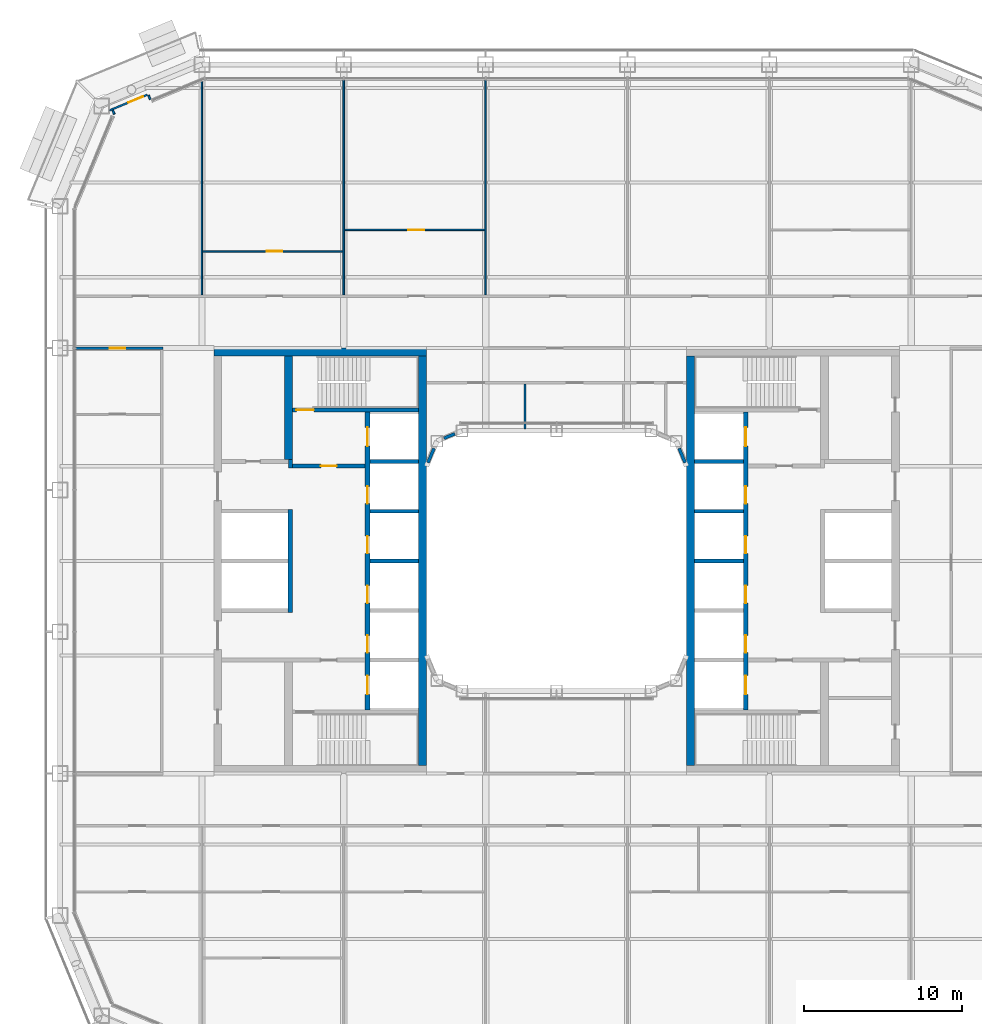
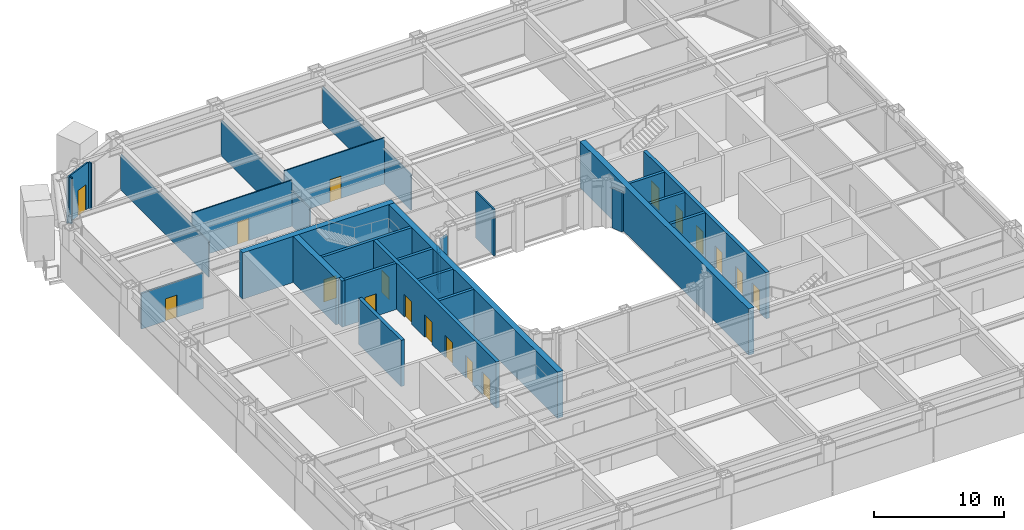
# One storey, part 14 of 28: 29 walls, 18 doors, 18 openings.
"""IFC4 building model written with IfcOpenShell, lengths in metres."""

from ifc_helpers import new_model, si_unit, direction, frame, frame_2d, origin, place, context, subcontext, project, spatial, rectangle, extrude, material, layer, layer_set, type_object, element, fill, save


model = new_model("IFC4")

# Units and contexts
model_context = context("Model", 3, precision=1e-05, world=origin(), true_north=direction((0.0, 1.0)))
body_context = subcontext(model_context, "Body", "Model", "MODEL_VIEW")
ifc_project = project(units=[si_unit("LENGTHUNIT", "METRE"), si_unit("AREAUNIT", "SQUARE_METRE"), si_unit("VOLUMEUNIT", "CUBIC_METRE"), si_unit("PLANEANGLEUNIT", "RADIAN"), si_unit("MASSUNIT", "GRAM", prefix="KILO")], contexts=[model_context])

# Site, building, storey
site_placement = place(None, origin())
site = spatial("IfcSite", under=ifc_project, at=site_placement, CompositionType="ELEMENT")
building_placement = place(site_placement, origin())
building = spatial("IfcBuilding", under=site, at=building_placement, Name="Siwar Civic Tower", CompositionType="ELEMENT")
storey_placement = place(building_placement, frame((0.0, 0.0, 85.199951171875)))
storey = spatial("IfcBuildingStorey", under=building, at=storey_placement, Name="L18", CompositionType="ELEMENT", Elevation=85.199951171875)

# Wall, opening, door
ifc_material_1 = material(Name="Concrete C60/75", Category="concrete")
ifc_layer_1 = layer(ifc_material_1, 0.25)
ifc_layer_set_1 = layer_set([ifc_layer_1], Name="Concrete C60/75")
wall_type_1 = type_object("IfcWallType", Name="CORE-WALL-RC250", PredefinedType="SHEAR", material=ifc_layer_set_1)
wall_1_placement = place(storey_placement, frame((-12.14990234375, 6.02490234375, 0.0), z_axis=(0.0, 0.0, 1.0), x_axis=(-1.0, 0.0, 0.0)))
wall_1 = element("IfcWall", 1, at=wall_1_placement, inside=storey, type_object=wall_type_1, Name="Core wall W", PredefinedType="SHEAR", context=body_context, shape_type="SweptSolid", body=[
    extrude(rectangle(XDim=4.60009765625, YDim=0.25, at=frame_2d((2.300048828125, 0.0))), origin(), (0.0, 0.0, 1.0), 4.35009765625),
])
opening_1_placement = place(wall_1_placement, frame((1.800048828125, 0.0, 0.0)))
opening_1 = element("IfcOpeningElement", 2, at=opening_1_placement, cuts=wall_1, Name="Opening L18-CW01", PredefinedType="OPENING", context=body_context, shape_type="SweptSolid", body=[
    extrude(rectangle(XDim=1.0, YDim=2.10009765625, at=frame_2d((0.5, 1.050048828125))), frame((0.0, 0.135009765625, 0.0), z_axis=(0.0, -1.0, 0.0), x_axis=(1.0, 0.0, 0.0)), (0.0, 0.0, 1.0), 0.27001953125),
])
ifc_material_2 = material(Name="Steel door leaf", Category="steel")
door_type_1 = type_object("IfcDoorType", Name="CORE-DOOR-FD30S", OperationType="SINGLE_SWING_LEFT", PredefinedType="DOOR", material=ifc_material_2)
door_1_placement = place(opening_1_placement, origin())
door_1 = element("IfcDoor", 3, at=door_1_placement, inside=storey, type_object=door_type_1, Name="Firefighting lobby door L18-CW01", OperationType="SINGLE_SWING_LEFT", OverallHeight=2.10009765625, OverallWidth=1.0, PredefinedType="DOOR", context=body_context, shape_type="SweptSolid", body=[
    extrude(rectangle(XDim=1.0, YDim=2.10009765625, at=frame_2d((0.5, 1.050048828125))), frame((0.0, 0.02490234375, 0.0), z_axis=(0.0, -1.0, 0.0), x_axis=(1.0, 0.0, 0.0)), (0.0, 0.0, 1.0), 0.050048828125),
])
fill(opening_1, door_1)

# Walls
wall_2_placement = place(storey_placement, frame((-16.875, 5.89990234375, 0.0), z_axis=(0.0, 0.0, 1.0), x_axis=(0.0, 1.0, 0.0)))
element("IfcWall", 4, at=wall_2_placement, inside=storey, type_object=wall_type_1, Name="Core wall W", PredefinedType="SHEAR", context=body_context, shape_type="SweptSolid", body=[
    extrude(rectangle(XDim=0.525146484375, YDim=0.25, at=frame_2d((0.2626953125, 0.0))), origin(), (0.0, 0.0, 1.0), 4.35009765625),
])
for number, where, z_axis, x_axis, name in (
    (5, (-8.75, 0.0, 0.0), (0.0, 0.0, 1.0), (-1.0, 0.0, 0.0), "Core wall W"),
    (6, (-8.75, 3.14990234375, 0.0), (0.0, 0.0, 1.0), (-1.0, 0.0, 0.0), "Core wall W"),
    (7, (-8.75, 6.300048828125, 0.0), (0.0, 0.0, 1.0), (-1.0, 0.0, 0.0), "Core wall W"),
):
    element("IfcWall", number, at=place(storey_placement, frame(where, z_axis=z_axis, x_axis=x_axis)), inside=storey, type_object=wall_type_1, Name=name, PredefinedType="SHEAR", context=body_context, shape_type="SweptSolid", body=[
        extrude(rectangle(XDim=3.10009765625, YDim=0.25, at=frame_2d((1.550048828125, 0.0))), origin(), (0.0, 0.0, 1.0), 4.35009765625),
    ])

# Wall, opening, door
wall_3_placement = place(storey_placement, frame((-8.75, 9.574951171875, 0.0), z_axis=(0.0, 0.0, 1.0), x_axis=(-1.0, 0.0, 0.0)))
wall_3 = element("IfcWall", 8, at=wall_3_placement, inside=storey, type_object=wall_type_1, Name="Core wall W", PredefinedType="SHEAR", context=body_context, shape_type="SweptSolid", body=[
    extrude(rectangle(XDim=8.0, YDim=0.25, at=frame_2d((4.0, 0.0))), origin(), (0.0, 0.0, 1.0), 4.35009765625),
])
opening_2_placement = place(wall_3_placement, frame((6.64990234375, 0.0, 0.0)))
opening_2 = element("IfcOpeningElement", 9, at=opening_2_placement, cuts=wall_3, Name="Opening L18-CW03", PredefinedType="OPENING", context=body_context, shape_type="SweptSolid", body=[
    extrude(rectangle(XDim=1.10009765625, YDim=2.10009765625, at=frame_2d((0.550048828125, 1.050048828125))), frame((0.0, 0.135009765625, 0.0), z_axis=(0.0, -1.0, 0.0), x_axis=(1.0, 0.0, 0.0)), (0.0, 0.0, 1.0), 0.27001953125),
])
ifc_material_3 = material(Name="Steel door leaf", Category="steel")
door_type_2 = type_object("IfcDoorType", Name="CORE-DOOR-FD60S", OperationType="SINGLE_SWING_LEFT", PredefinedType="DOOR", material=ifc_material_3)
door_2_placement = place(opening_2_placement, origin())
door_2 = element("IfcDoor", 10, at=door_2_placement, inside=storey, type_object=door_type_2, Name="Stair door L18-CW03", OperationType="SINGLE_SWING_RIGHT", OverallHeight=2.10009765625, OverallWidth=1.10009765625, PredefinedType="DOOR", context=body_context, shape_type="SweptSolid", body=[
    extrude(rectangle(XDim=1.10009765625, YDim=2.10009765625, at=frame_2d((0.550048828125, 1.050048828125))), frame((0.0, 0.02490234375, 0.0), z_axis=(0.0, -1.0, 0.0), x_axis=(1.0, 0.0, 0.0)), (0.0, 0.0, 1.0), 0.050048828125),
])
fill(opening_2, door_2)

# Walls
for number, where, z_axis, x_axis, name in (
    (11, (8.75, 0.0, 0.0), (0.0, 0.0, 1.0), (1.0, 0.0, 0.0), "Core wall E"),
    (12, (8.75, 3.14990234375, 0.0), (0.0, 0.0, 1.0), (1.0, 0.0, 0.0), "Core wall E"),
    (13, (8.75, 6.300048828125, 0.0), (0.0, 0.0, 1.0), (1.0, 0.0, 0.0), "Core wall E"),
):
    element("IfcWall", number, at=place(storey_placement, frame(where, z_axis=z_axis, x_axis=x_axis)), inside=storey, type_object=wall_type_1, Name=name, PredefinedType="SHEAR", context=body_context, shape_type="SweptSolid", body=[
        extrude(rectangle(XDim=3.10009765625, YDim=0.25, at=frame_2d((1.550048828125, 0.0))), origin(), (0.0, 0.0, 1.0), 4.35009765625),
    ])

# Wall, openings, doors
ifc_material_4 = material(Name="Concrete C60/75", Category="concrete")
ifc_layer_2 = layer(ifc_material_4, 0.300048828125)
ifc_layer_set_2 = layer_set([ifc_layer_2], Name="Concrete C60/75")
wall_type_2 = type_object("IfcWallType", Name="CORE-WALL-RC300", PredefinedType="SHEAR", material=ifc_layer_set_2)
wall_4_placement = place(storey_placement, frame((-12.0, -9.449951171875, 0.0), z_axis=(0.0, 0.0, 1.0), x_axis=(0.0, 1.0, 0.0)))
wall_4 = element("IfcWall", 14, at=wall_4_placement, inside=storey, type_object=wall_type_2, Name="Core wall W", PredefinedType="SHEAR", context=body_context, shape_type="SweptSolid", body=[
    extrude(rectangle(XDim=18.89990234375, YDim=0.300048828125, at=frame_2d((9.449951171875, 0.0))), origin(), (0.0, 0.0, 1.0), 4.35009765625),
])
opening_3_placement = place(wall_4_placement, frame((3.625, 0.0, 0.0)))
opening_3 = element("IfcOpeningElement", 15, at=opening_3_placement, cuts=wall_4, Name="Opening L18-CW07", PredefinedType="OPENING", context=body_context, shape_type="SweptSolid", body=[
    extrude(rectangle(XDim=1.10009765625, YDim=2.10009765625, at=frame_2d((0.550048828125, 1.050048828125))), frame((0.0, 0.16015625, 0.0), z_axis=(0.0, -1.0, 0.0), x_axis=(1.0, 0.0, 0.0)), (0.0, 0.0, 1.0), 0.320068359375),
])
opening_4_placement = place(wall_4_placement, frame((6.77490234375, 0.0, 0.0)))
opening_4 = element("IfcOpeningElement", 16, at=opening_4_placement, cuts=wall_4, Name="Opening L18-CW08", PredefinedType="OPENING", context=body_context, shape_type="SweptSolid", body=[
    extrude(rectangle(XDim=1.10009765625, YDim=2.10009765625, at=frame_2d((0.550048828125, 1.050048828125))), frame((0.0, 0.16015625, 0.0), z_axis=(0.0, -1.0, 0.0), x_axis=(1.0, 0.0, 0.0)), (0.0, 0.0, 1.0), 0.320068359375),
])
opening_5_placement = place(wall_4_placement, frame((9.925048828125, 0.0, 0.0)))
opening_5 = element("IfcOpeningElement", 17, at=opening_5_placement, cuts=wall_4, Name="Opening L18-CW09", PredefinedType="OPENING", context=body_context, shape_type="SweptSolid", body=[
    extrude(rectangle(XDim=1.10009765625, YDim=2.10009765625, at=frame_2d((0.550048828125, 1.050048828125))), frame((0.0, 0.16015625, 0.0), z_axis=(0.0, -1.0, 0.0), x_axis=(1.0, 0.0, 0.0)), (0.0, 0.0, 1.0), 0.320068359375),
])
opening_6_placement = place(wall_4_placement, frame((13.074951171875, 0.0, 0.0)))
opening_6 = element("IfcOpeningElement", 18, at=opening_6_placement, cuts=wall_4, Name="Opening L18-CW10", PredefinedType="OPENING", context=body_context, shape_type="SweptSolid", body=[
    extrude(rectangle(XDim=1.10009765625, YDim=2.10009765625, at=frame_2d((0.550048828125, 1.050048828125))), frame((0.0, 0.16015625, 0.0), z_axis=(0.0, -1.0, 0.0), x_axis=(1.0, 0.0, 0.0)), (0.0, 0.0, 1.0), 0.320068359375),
])
opening_7_placement = place(wall_4_placement, frame((16.72509765625, 0.0, 0.0)))
opening_7 = element("IfcOpeningElement", 19, at=opening_7_placement, cuts=wall_4, Name="Opening L18-CW11", PredefinedType="OPENING", context=body_context, shape_type="SweptSolid", body=[
    extrude(rectangle(XDim=1.199951171875, YDim=2.10009765625, at=frame_2d((0.60009765625, 1.050048828125))), frame((0.0, 0.16015625, 0.0), z_axis=(0.0, -1.0, 0.0), x_axis=(1.0, 0.0, 0.0)), (0.0, 0.0, 1.0), 0.320068359375),
])
opening_8_placement = place(wall_4_placement, frame((0.97509765625, 0.0, 0.0)))
opening_8 = element("IfcOpeningElement", 20, at=opening_8_placement, cuts=wall_4, Name="Opening L18-CW12", PredefinedType="OPENING", context=body_context, shape_type="SweptSolid", body=[
    extrude(rectangle(XDim=1.199951171875, YDim=2.10009765625, at=frame_2d((0.60009765625, 1.050048828125))), frame((0.0, 0.16015625, 0.0), z_axis=(0.0, -1.0, 0.0), x_axis=(1.0, 0.0, 0.0)), (0.0, 0.0, 1.0), 0.320068359375),
])
ifc_material_5 = material(Name="Steel door leaf", Category="steel")
door_type_3 = type_object("IfcDoorType", Name="CORE-DOOR-LD", OperationType="DOUBLE_DOOR_SLIDING", PredefinedType="DOOR", material=ifc_material_5)
door_3_placement = place(opening_3_placement, origin())
door_3 = element("IfcDoor", 21, at=door_3_placement, inside=storey, type_object=door_type_3, Name="Landing door LR1 L18-CW07", OperationType="DOUBLE_DOOR_SLIDING", OverallHeight=2.10009765625, OverallWidth=1.10009765625, PredefinedType="DOOR", context=body_context, shape_type="SweptSolid", body=[
    extrude(rectangle(XDim=1.10009765625, YDim=2.10009765625, at=frame_2d((0.550048828125, 1.050048828125))), frame((0.0, 0.02490234375, 0.0), z_axis=(0.0, -1.0, 0.0), x_axis=(1.0, 0.0, 0.0)), (0.0, 0.0, 1.0), 0.050048828125),
])
fill(opening_3, door_3)
door_4_placement = place(opening_4_placement, origin())
door_4 = element("IfcDoor", 22, at=door_4_placement, inside=storey, type_object=door_type_3, Name="Landing door LR2 L18-CW08", OperationType="DOUBLE_DOOR_SLIDING", OverallHeight=2.10009765625, OverallWidth=1.10009765625, PredefinedType="DOOR", context=body_context, shape_type="SweptSolid", body=[
    extrude(rectangle(XDim=1.10009765625, YDim=2.10009765625, at=frame_2d((0.550048828125, 1.050048828125))), frame((0.0, 0.02490234375, 0.0), z_axis=(0.0, -1.0, 0.0), x_axis=(1.0, 0.0, 0.0)), (0.0, 0.0, 1.0), 0.050048828125),
])
fill(opening_4, door_4)
door_5_placement = place(opening_5_placement, origin())
door_5 = element("IfcDoor", 23, at=door_5_placement, inside=storey, type_object=door_type_3, Name="Landing door LR3 L18-CW09", OperationType="DOUBLE_DOOR_SLIDING", OverallHeight=2.10009765625, OverallWidth=1.10009765625, PredefinedType="DOOR", context=body_context, shape_type="SweptSolid", body=[
    extrude(rectangle(XDim=1.10009765625, YDim=2.10009765625, at=frame_2d((0.550048828125, 1.050048828125))), frame((0.0, 0.02490234375, 0.0), z_axis=(0.0, -1.0, 0.0), x_axis=(1.0, 0.0, 0.0)), (0.0, 0.0, 1.0), 0.050048828125),
])
fill(opening_5, door_5)
door_6_placement = place(opening_6_placement, origin())
door_6 = element("IfcDoor", 24, at=door_6_placement, inside=storey, type_object=door_type_3, Name="Landing door LR4 L18-CW10", OperationType="DOUBLE_DOOR_SLIDING", OverallHeight=2.10009765625, OverallWidth=1.10009765625, PredefinedType="DOOR", context=body_context, shape_type="SweptSolid", body=[
    extrude(rectangle(XDim=1.10009765625, YDim=2.10009765625, at=frame_2d((0.550048828125, 1.050048828125))), frame((0.0, 0.02490234375, 0.0), z_axis=(0.0, -1.0, 0.0), x_axis=(1.0, 0.0, 0.0)), (0.0, 0.0, 1.0), 0.050048828125),
])
fill(opening_6, door_6)
ifc_material_6 = material(Name="Steel door leaf", Category="steel")
door_type_4 = type_object("IfcDoorType", Name="CORE-DOOR-LDW", OperationType="DOUBLE_DOOR_SLIDING", PredefinedType="DOOR", material=ifc_material_6)
door_7_placement = place(opening_7_placement, origin())
door_7 = element("IfcDoor", 25, at=door_7_placement, inside=storey, type_object=door_type_4, Name="Landing door FF1 L18-CW11", OperationType="DOUBLE_DOOR_SLIDING", OverallHeight=2.10009765625, OverallWidth=1.199951171875, PredefinedType="DOOR", context=body_context, shape_type="SweptSolid", body=[
    extrude(rectangle(XDim=1.199951171875, YDim=2.10009765625, at=frame_2d((0.60009765625, 1.050048828125))), frame((0.0, 0.02490234375, 0.0), z_axis=(0.0, -1.0, 0.0), x_axis=(1.0, 0.0, 0.0)), (0.0, 0.0, 1.0), 0.050048828125),
])
fill(opening_7, door_7)
door_8_placement = place(opening_8_placement, origin())
door_8 = element("IfcDoor", 26, at=door_8_placement, inside=storey, type_object=door_type_4, Name="Landing door SV1 L18-CW12", OperationType="DOUBLE_DOOR_SLIDING", OverallHeight=2.10009765625, OverallWidth=1.199951171875, PredefinedType="DOOR", context=body_context, shape_type="SweptSolid", body=[
    extrude(rectangle(XDim=1.199951171875, YDim=2.10009765625, at=frame_2d((0.60009765625, 1.050048828125))), frame((0.0, 0.02490234375, 0.0), z_axis=(0.0, -1.0, 0.0), x_axis=(1.0, 0.0, 0.0)), (0.0, 0.0, 1.0), 0.050048828125),
])
fill(opening_8, door_8)

# Wall
wall_5_placement = place(storey_placement, frame((-16.89990234375, -3.27490234375, 0.0), z_axis=(0.0, 0.0, 1.0), x_axis=(0.0, 1.0, 0.0)))
element("IfcWall", 27, at=wall_5_placement, inside=storey, type_object=wall_type_2, Name="Core wall W", PredefinedType="SHEAR", context=body_context, shape_type="SweptSolid", body=[
    extrude(rectangle(XDim=6.5498046875, YDim=0.300048828125, at=frame_2d((3.27490234375, 0.0))), origin(), (0.0, 0.0, 1.0), 4.35009765625),
])

# Wall, openings, doors
wall_6_placement = place(storey_placement, frame((12.0, -9.449951171875, 0.0), z_axis=(0.0, 0.0, 1.0), x_axis=(0.0, 1.0, 0.0)))
wall_6 = element("IfcWall", 28, at=wall_6_placement, inside=storey, type_object=wall_type_2, Name="Core wall E", PredefinedType="SHEAR", context=body_context, shape_type="SweptSolid", body=[
    extrude(rectangle(XDim=18.89990234375, YDim=0.300048828125, at=frame_2d((9.449951171875, 0.0))), origin(), (0.0, 0.0, 1.0), 4.35009765625),
])
opening_9_placement = place(wall_6_placement, frame((3.625, 0.0, 0.0)))
opening_9 = element("IfcOpeningElement", 29, at=opening_9_placement, cuts=wall_6, Name="Opening L18-CE07", PredefinedType="OPENING", context=body_context, shape_type="SweptSolid", body=[
    extrude(rectangle(XDim=1.10009765625, YDim=2.10009765625, at=frame_2d((0.550048828125, 1.050048828125))), frame((0.0, 0.16015625, 0.0), z_axis=(0.0, -1.0, 0.0), x_axis=(1.0, 0.0, 0.0)), (0.0, 0.0, 1.0), 0.320068359375),
])
opening_10_placement = place(wall_6_placement, frame((6.77490234375, 0.0, 0.0)))
opening_10 = element("IfcOpeningElement", 30, at=opening_10_placement, cuts=wall_6, Name="Opening L18-CE08", PredefinedType="OPENING", context=body_context, shape_type="SweptSolid", body=[
    extrude(rectangle(XDim=1.10009765625, YDim=2.10009765625, at=frame_2d((0.550048828125, 1.050048828125))), frame((0.0, 0.16015625, 0.0), z_axis=(0.0, -1.0, 0.0), x_axis=(1.0, 0.0, 0.0)), (0.0, 0.0, 1.0), 0.320068359375),
])
opening_11_placement = place(wall_6_placement, frame((9.925048828125, 0.0, 0.0)))
opening_11 = element("IfcOpeningElement", 31, at=opening_11_placement, cuts=wall_6, Name="Opening L18-CE09", PredefinedType="OPENING", context=body_context, shape_type="SweptSolid", body=[
    extrude(rectangle(XDim=1.10009765625, YDim=2.10009765625, at=frame_2d((0.550048828125, 1.050048828125))), frame((0.0, 0.16015625, 0.0), z_axis=(0.0, -1.0, 0.0), x_axis=(1.0, 0.0, 0.0)), (0.0, 0.0, 1.0), 0.320068359375),
])
opening_12_placement = place(wall_6_placement, frame((13.074951171875, 0.0, 0.0)))
opening_12 = element("IfcOpeningElement", 32, at=opening_12_placement, cuts=wall_6, Name="Opening L18-CE10", PredefinedType="OPENING", context=body_context, shape_type="SweptSolid", body=[
    extrude(rectangle(XDim=1.10009765625, YDim=2.10009765625, at=frame_2d((0.550048828125, 1.050048828125))), frame((0.0, 0.16015625, 0.0), z_axis=(0.0, -1.0, 0.0), x_axis=(1.0, 0.0, 0.0)), (0.0, 0.0, 1.0), 0.320068359375),
])
opening_13_placement = place(wall_6_placement, frame((16.72509765625, 0.0, 0.0)))
opening_13 = element("IfcOpeningElement", 33, at=opening_13_placement, cuts=wall_6, Name="Opening L18-CE11", PredefinedType="OPENING", context=body_context, shape_type="SweptSolid", body=[
    extrude(rectangle(XDim=1.199951171875, YDim=2.10009765625, at=frame_2d((0.60009765625, 1.050048828125))), frame((0.0, 0.16015625, 0.0), z_axis=(0.0, -1.0, 0.0), x_axis=(1.0, 0.0, 0.0)), (0.0, 0.0, 1.0), 0.320068359375),
])
opening_14_placement = place(wall_6_placement, frame((0.97509765625, 0.0, 0.0)))
opening_14 = element("IfcOpeningElement", 34, at=opening_14_placement, cuts=wall_6, Name="Opening L18-CE12", PredefinedType="OPENING", context=body_context, shape_type="SweptSolid", body=[
    extrude(rectangle(XDim=1.199951171875, YDim=2.10009765625, at=frame_2d((0.60009765625, 1.050048828125))), frame((0.0, 0.16015625, 0.0), z_axis=(0.0, -1.0, 0.0), x_axis=(1.0, 0.0, 0.0)), (0.0, 0.0, 1.0), 0.320068359375),
])
door_9_placement = place(opening_9_placement, origin())
door_9 = element("IfcDoor", 35, at=door_9_placement, inside=storey, type_object=door_type_3, Name="Landing door LR5 L18-CE07", OperationType="DOUBLE_DOOR_SLIDING", OverallHeight=2.10009765625, OverallWidth=1.10009765625, PredefinedType="DOOR", context=body_context, shape_type="SweptSolid", body=[
    extrude(rectangle(XDim=1.10009765625, YDim=2.10009765625, at=frame_2d((0.550048828125, 1.050048828125))), frame((0.0, 0.02490234375, 0.0), z_axis=(0.0, -1.0, 0.0), x_axis=(1.0, 0.0, 0.0)), (0.0, 0.0, 1.0), 0.050048828125),
])
fill(opening_9, door_9)
door_10_placement = place(opening_10_placement, origin())
door_10 = element("IfcDoor", 36, at=door_10_placement, inside=storey, type_object=door_type_3, Name="Landing door LR6 L18-CE08", OperationType="DOUBLE_DOOR_SLIDING", OverallHeight=2.10009765625, OverallWidth=1.10009765625, PredefinedType="DOOR", context=body_context, shape_type="SweptSolid", body=[
    extrude(rectangle(XDim=1.10009765625, YDim=2.10009765625, at=frame_2d((0.550048828125, 1.050048828125))), frame((0.0, 0.02490234375, 0.0), z_axis=(0.0, -1.0, 0.0), x_axis=(1.0, 0.0, 0.0)), (0.0, 0.0, 1.0), 0.050048828125),
])
fill(opening_10, door_10)
door_11_placement = place(opening_11_placement, origin())
door_11 = element("IfcDoor", 37, at=door_11_placement, inside=storey, type_object=door_type_3, Name="Landing door LR7 L18-CE09", OperationType="DOUBLE_DOOR_SLIDING", OverallHeight=2.10009765625, OverallWidth=1.10009765625, PredefinedType="DOOR", context=body_context, shape_type="SweptSolid", body=[
    extrude(rectangle(XDim=1.10009765625, YDim=2.10009765625, at=frame_2d((0.550048828125, 1.050048828125))), frame((0.0, 0.02490234375, 0.0), z_axis=(0.0, -1.0, 0.0), x_axis=(1.0, 0.0, 0.0)), (0.0, 0.0, 1.0), 0.050048828125),
])
fill(opening_11, door_11)
door_12_placement = place(opening_12_placement, origin())
door_12 = element("IfcDoor", 38, at=door_12_placement, inside=storey, type_object=door_type_3, Name="Landing door LR8 L18-CE10", OperationType="DOUBLE_DOOR_SLIDING", OverallHeight=2.10009765625, OverallWidth=1.10009765625, PredefinedType="DOOR", context=body_context, shape_type="SweptSolid", body=[
    extrude(rectangle(XDim=1.10009765625, YDim=2.10009765625, at=frame_2d((0.550048828125, 1.050048828125))), frame((0.0, 0.02490234375, 0.0), z_axis=(0.0, -1.0, 0.0), x_axis=(1.0, 0.0, 0.0)), (0.0, 0.0, 1.0), 0.050048828125),
])
fill(opening_12, door_12)
door_13_placement = place(opening_13_placement, origin())
door_13 = element("IfcDoor", 39, at=door_13_placement, inside=storey, type_object=door_type_4, Name="Landing door FF2 L18-CE11", OperationType="DOUBLE_DOOR_SLIDING", OverallHeight=2.10009765625, OverallWidth=1.199951171875, PredefinedType="DOOR", context=body_context, shape_type="SweptSolid", body=[
    extrude(rectangle(XDim=1.199951171875, YDim=2.10009765625, at=frame_2d((0.60009765625, 1.050048828125))), frame((0.0, 0.02490234375, 0.0), z_axis=(0.0, -1.0, 0.0), x_axis=(1.0, 0.0, 0.0)), (0.0, 0.0, 1.0), 0.050048828125),
])
fill(opening_13, door_13)
door_14_placement = place(opening_14_placement, origin())
door_14 = element("IfcDoor", 40, at=door_14_placement, inside=storey, type_object=door_type_4, Name="Landing door SV2 L18-CE12", OperationType="DOUBLE_DOOR_SLIDING", OverallHeight=2.10009765625, OverallWidth=1.199951171875, PredefinedType="DOOR", context=body_context, shape_type="SweptSolid", body=[
    extrude(rectangle(XDim=1.199951171875, YDim=2.10009765625, at=frame_2d((0.60009765625, 1.050048828125))), frame((0.0, 0.02490234375, 0.0), z_axis=(0.0, -1.0, 0.0), x_axis=(1.0, 0.0, 0.0)), (0.0, 0.0, 1.0), 0.050048828125),
])
fill(opening_14, door_14)

# Walls
ifc_material_7 = material(Name="Concrete C60/75", Category="concrete")
ifc_layer_3 = layer(ifc_material_7, 0.5)
ifc_layer_set_3 = layer_set([ifc_layer_3], Name="Concrete C60/75")
wall_type_3 = type_object("IfcWallType", Name="CORE-WALL-RC500", PredefinedType="SHEAR", material=ifc_layer_set_3)
wall_7_placement = place(storey_placement, frame((-17.0, 6.425048828125, 0.0), z_axis=(0.0, 0.0, 1.0), x_axis=(0.0, 1.0, 0.0)))
element("IfcWall", 41, at=wall_7_placement, inside=storey, type_object=wall_type_3, Name="Core wall W", PredefinedType="SHEAR", context=body_context, shape_type="SweptSolid", body=[
    extrude(rectangle(XDim=6.574951171875, YDim=0.5, at=frame_2d((3.28759765625, 0.0))), origin(), (0.0, 0.0, 1.0), 4.35009765625),
])
wall_8_placement = place(storey_placement, frame((-8.25, 13.25, 0.0), z_axis=(0.0, 0.0, 1.0), x_axis=(-1.0, 0.0, 0.0)))
element("IfcWall", 42, at=wall_8_placement, inside=storey, type_object=wall_type_3, Name="Core wall W", PredefinedType="SHEAR", context=body_context, shape_type="SweptSolid", body=[
    extrude(rectangle(XDim=13.5, YDim=0.5, at=frame_2d((6.75, 0.0))), origin(), (0.0, 0.0, 1.0), 4.35009765625),
])
ifc_material_8 = material(Name="Concrete C60/75", Category="concrete")
ifc_layer_4 = layer(ifc_material_8, 0.5)
ifc_layer_set_4 = layer_set([ifc_layer_4], Name="Concrete C60/75")
wall_type_4 = type_object("IfcWallType", Name="CORE-WALL-RC500-EXT", PredefinedType="SHEAR", material=ifc_layer_set_4)
for number, where, z_axis, x_axis, name in (
    (43, (-8.5, -13.0, 0.0), (0.0, 0.0, 1.0), (0.0, 1.0, 0.0), "Core wall W"),
    (44, (8.5, -13.0, 0.0), (0.0, 0.0, 1.0), (0.0, 1.0, 0.0), "Core wall E"),
):
    element("IfcWall", number, at=place(storey_placement, frame(where, z_axis=z_axis, x_axis=x_axis)), inside=storey, type_object=wall_type_4, Name=name, PredefinedType="SHEAR", context=body_context, shape_type="SweptSolid", body=[
        extrude(rectangle(XDim=26.0, YDim=0.5, at=frame_2d((13.0, 0.0))), origin(), (0.0, 0.0, 1.0), 4.35009765625),
    ])

# Wall, opening, door
ifc_material_9 = material(Name="Gypsum board on steel studs", Category="steel")
ifc_layer_5 = layer(ifc_material_9, 0.14990234375)
ifc_layer_set_5 = layer_set([ifc_layer_5], Name="Gypsum board on steel studs")
wall_type_5 = type_object("IfcWallType", Name="CORRIDOR PARTITION 150 EI 30", PredefinedType="PARTITIONING", material=ifc_layer_set_5)
wall_9_placement = place(storey_placement, frame((-30.510009765625, 13.5, 0.0), z_axis=(0.0, 0.0, 1.0), x_axis=(1.0, 0.0, 0.0)))
wall_9 = element("IfcWall", 45, at=wall_9_placement, inside=storey, type_object=wall_type_5, Name="L18/wall/P11", PredefinedType="PARTITIONING", context=body_context, shape_type="SweptSolid", body=[
    extrude(rectangle(XDim=5.534912109375, YDim=0.14990234375, at=frame_2d((2.767578125, 0.0))), origin(), (0.0, 0.0, 1.0), 3.35009765625),
])
opening_15_placement = place(wall_9_placement, frame((2.14990234375, 0.0, 0.0)))
opening_15 = element("IfcOpeningElement", 46, at=opening_15_placement, cuts=wall_9, Name="Opening D1", PredefinedType="OPENING", context=body_context, shape_type="SweptSolid", body=[
    extrude(rectangle(XDim=1.0, YDim=2.10009765625, at=frame_2d((0.5, 1.050048828125))), frame((0.0, 0.0849609375, 0.0), z_axis=(0.0, -1.0, 0.0), x_axis=(1.0, 0.0, 0.0)), (0.0, 0.0, 1.0), 0.169921875),
])
ifc_material_10 = material(Name="Timber, painted", Category="wood")
door_type_5 = type_object("IfcDoorType", Name="DOOR 1000 X 2100 FD30", OperationType="SINGLE_SWING_LEFT", PredefinedType="DOOR", material=ifc_material_10)
door_15_placement = place(opening_15_placement, origin())
door_15 = element("IfcDoor", 47, at=door_15_placement, inside=storey, type_object=door_type_5, Name="L18-D25", OperationType="SINGLE_SWING_LEFT", OverallHeight=2.10009765625, OverallWidth=1.0, PredefinedType="DOOR", context=body_context, shape_type="SweptSolid", body=[
    extrude(rectangle(XDim=1.0, YDim=2.10009765625, at=frame_2d((0.5, 1.050048828125))), frame((0.0, 0.02490234375, 0.0), z_axis=(0.0, -1.0, 0.0), x_axis=(1.0, 0.0, 0.0)), (0.0, 0.0, 1.0), 0.050048828125),
])
fill(opening_15, door_15)

# Walls
wall_10_placement = place(storey_placement, frame((-2.0, 8.3701171875, 0.0), z_axis=(0.0, 0.0, 1.0), x_axis=(0.0, 1.0, 0.0)))
element("IfcWall", 48, at=wall_10_placement, inside=storey, type_object=wall_type_5, Name="L18/wall/P28", PredefinedType="PARTITIONING", context=body_context, shape_type="SweptSolid", body=[
    extrude(rectangle(XDim=2.85498046875, YDim=0.14990234375, at=frame_2d((1.427490234375, 0.0))), origin(), (0.0, 0.0, 1.0), 4.35009765625),
])
ifc_material_11 = material(Name="Aluminium clad insulated panel", Category="aluminium")
ifc_layer_6 = layer(ifc_material_11, 0.1201171875)
ifc_layer_set_6 = layer_set([ifc_layer_6], Name="Aluminium clad insulated panel")
wall_type_6 = type_object("IfcWallType", Name="ENV-WALL-BAL", PredefinedType="STANDARD", material=ifc_layer_set_6)
wall_11_placement = place(storey_placement, frame((-25.783447265625, 29.284912109375, 0.0), z_axis=(0.0, 0.0, 1.0), x_axis=(-0.382942403136, 0.923772220778, 0.0)))
element("IfcWall", 49, at=wall_11_placement, inside=storey, type_object=wall_type_6, Name="Balcony door wall return NW1", PredefinedType="STANDARD", context=body_context, shape_type="SweptSolid", body=[
    extrude(rectangle(XDim=0.27978515625, YDim=0.1201171875, at=frame_2d((0.139892578125, 0.0))), origin(), (0.0, 0.0, 1.0), 4.35009765625),
])
wall_12_placement = place(storey_placement, frame((-28.057861328125, 28.3427734375, 0.0), z_axis=(0.0, 0.0, 1.0), x_axis=(-0.382634050621, 0.923899985553, 0.0)))
element("IfcWall", 50, at=wall_12_placement, inside=storey, type_object=wall_type_6, Name="Balcony door wall return NW1", PredefinedType="STANDARD", context=body_context, shape_type="SweptSolid", body=[
    extrude(rectangle(XDim=0.280029296875, YDim=0.1201171875, at=frame_2d((0.14013671875, 0.0))), origin(), (0.0, 0.0, 1.0), 4.35009765625),
])

# Wall, opening, door
wall_13_placement = place(storey_placement, frame((-25.968994140625, 29.575927734375, 0.0), z_axis=(0.0, 0.0, 1.0), x_axis=(-0.923894017707, -0.382648460137, 0.0)))
wall_13 = element("IfcWall", 51, at=wall_13_placement, inside=storey, type_object=wall_type_6, Name="Balcony door wall NW1", PredefinedType="STANDARD", context=body_context, shape_type="SweptSolid", body=[
    extrude(rectangle(XDim=2.59228515625, YDim=0.1201171875, at=frame_2d((1.296142578125, 0.0))), origin(), (0.0, 0.0, 1.0), 4.35009765625),
])
opening_16_placement = place(wall_13_placement, frame((0.300048828125, 0.0, 0.0)))
opening_16 = element("IfcOpeningElement", 52, at=opening_16_placement, cuts=wall_13, Name="Opening D-BAL", PredefinedType="OPENING", context=body_context, shape_type="SweptSolid", body=[
    extrude(rectangle(XDim=1.0, YDim=2.39990234375, at=frame_2d((0.5, 1.199951171875))), frame((0.0, 0.070068359375, 0.0), z_axis=(0.0, -1.0, 0.0), x_axis=(1.0, 0.0, 0.0)), (0.0, 0.0, 1.0), 0.14013671875),
])
ifc_material_12 = material(Name="Aluminium and glass", Category="aluminium")
door_type_6 = type_object("IfcDoorType", Name="ENV-DOOR-BAL", OperationType="SINGLE_SWING_LEFT", PredefinedType="DOOR", material=ifc_material_12)
door_16_placement = place(opening_16_placement, origin())
door_16 = element("IfcDoor", 53, at=door_16_placement, inside=storey, type_object=door_type_6, Name="Balcony door NW", OperationType="SINGLE_SWING_LEFT", OverallHeight=2.39990234375, OverallWidth=1.0, PredefinedType="DOOR", context=body_context, shape_type="SweptSolid", body=[
    extrude(rectangle(XDim=1.0, YDim=2.39990234375, at=frame_2d((0.5, 1.199951171875))), frame((0.0, 0.02490234375, 0.0), z_axis=(0.0, -1.0, 0.0), x_axis=(1.0, 0.0, 0.0)), (0.0, 0.0, 1.0), 0.050048828125),
])
fill(opening_16, door_16)

# Walls
ifc_material_13 = material(Name="Aluminium clad insulated panel", Category="aluminium")
ifc_layer_7 = layer(ifc_material_13, 0.199951171875)
ifc_layer_set_7 = layer_set([ifc_layer_7], Name="Aluminium clad insulated panel")
wall_type_7 = type_object("IfcWallType", Name="ENV-WALL-WELL", PredefinedType="STANDARD", material=ifc_layer_set_7)
wall_14_placement = place(storey_placement, frame((8.154296875, 6.23095703125, 0.0), z_axis=(0.0, 0.0, 1.0), x_axis=(-0.382549378284, 0.923935048136, 0.0)))
element("IfcWall", 54, at=wall_14_placement, inside=storey, type_object=wall_type_7, Name="Light well corner wall NE1", PredefinedType="STANDARD", context=body_context, shape_type="SweptSolid", body=[
    extrude(rectangle(XDim=0.982177734375, YDim=0.199951171875, at=frame_2d((0.4912109375, 0.0))), origin(), (0.0, 0.0, 1.0), 3.72998046875),
])
wall_15_placement = place(storey_placement, frame((-6.45263671875, 8.0625, 0.0), z_axis=(0.0, 0.0, 1.0), x_axis=(-0.923940677943, -0.382535780864, 0.0)))
element("IfcWall", 55, at=wall_15_placement, inside=storey, type_object=wall_type_7, Name="Light well corner wall NW1", PredefinedType="STANDARD", context=body_context, shape_type="SweptSolid", body=[
    extrude(rectangle(XDim=0.7421875, YDim=0.199951171875, at=frame_2d((0.37109375, 0.0))), origin(), (0.0, 0.0, 1.0), 3.72998046875),
])
wall_16_placement = place(storey_placement, frame((-7.778564453125, 7.138427734375, 0.0), z_axis=(0.0, 0.0, 1.0), x_axis=(-0.382549378284, -0.923935048136, 0.0)))
element("IfcWall", 56, at=wall_16_placement, inside=storey, type_object=wall_type_7, Name="Light well corner wall NW2", PredefinedType="STANDARD", context=body_context, shape_type="SweptSolid", body=[
    extrude(rectangle(XDim=0.982177734375, YDim=0.199951171875, at=frame_2d((0.4912109375, 0.0))), origin(), (0.0, 0.0, 1.0), 3.72998046875),
])

# Wall, opening, door
ifc_material_14 = material(Name="Gypsum board on steel studs", Category="steel")
ifc_layer_8 = layer(ifc_material_14, 0.10009765625)
ifc_layer_set_8 = layer_set([ifc_layer_8], Name="Gypsum board on steel studs")
wall_type_8 = type_object("IfcWallType", Name="PARTITION 100 GYPSUM", PredefinedType="PARTITIONING", material=ifc_layer_set_8)
wall_17_placement = place(storey_placement, frame((-22.449951171875, 19.639892578125, 0.0), z_axis=(0.0, 0.0, 1.0), x_axis=(1.0, 0.0, 0.0)))
wall_17 = element("IfcWall", 57, at=wall_17_placement, inside=storey, type_object=wall_type_8, Name="L18/wall/P15", PredefinedType="PARTITIONING", context=body_context, shape_type="SweptSolid", body=[
    extrude(rectangle(XDim=8.89990234375, YDim=0.10009765625, at=frame_2d((4.449951171875, 0.0))), origin(), (0.0, 0.0, 1.0), 4.35009765625),
])
opening_17_placement = place(wall_17_placement, frame((4.050048828125, 0.0, 0.0)))
opening_17 = element("IfcOpeningElement", 58, at=opening_17_placement, cuts=wall_17, Name="Opening D2", PredefinedType="OPENING", context=body_context, shape_type="SweptSolid", body=[
    extrude(rectangle(XDim=1.0, YDim=2.10009765625, at=frame_2d((0.5, 1.050048828125))), frame((0.0, 0.06005859375, 0.0), z_axis=(0.0, -1.0, 0.0), x_axis=(1.0, 0.0, 0.0)), (0.0, 0.0, 1.0), 0.1201171875),
])
ifc_material_15 = material(Name="Timber, painted", Category="wood")
door_type_7 = type_object("IfcDoorType", Name="DOOR 1000 X 2100", OperationType="SINGLE_SWING_LEFT", PredefinedType="DOOR", material=ifc_material_15)
door_17_placement = place(opening_17_placement, origin())
door_17 = element("IfcDoor", 59, at=door_17_placement, inside=storey, type_object=door_type_7, Name="L18-D02", OperationType="SINGLE_SWING_RIGHT", OverallHeight=2.10009765625, OverallWidth=1.0, PredefinedType="DOOR", context=body_context, shape_type="SweptSolid", body=[
    extrude(rectangle(XDim=1.0, YDim=2.10009765625, at=frame_2d((0.5, 1.050048828125))), frame((0.0, 0.02490234375, 0.0), z_axis=(0.0, -1.0, 0.0), x_axis=(1.0, 0.0, 0.0)), (0.0, 0.0, 1.0), 0.050048828125),
])
fill(opening_17, door_17)

wall_18_placement = place(storey_placement, frame((-13.449951171875, 21.0, 0.0), z_axis=(0.0, 0.0, 1.0), x_axis=(1.0, 0.0, 0.0)))
wall_18 = element("IfcWall", 60, at=wall_18_placement, inside=storey, type_object=wall_type_8, Name="L18/wall/P16", PredefinedType="PARTITIONING", context=body_context, shape_type="SweptSolid", body=[
    extrude(rectangle(XDim=8.89990234375, YDim=0.10009765625, at=frame_2d((4.449951171875, 0.0))), origin(), (0.0, 0.0, 1.0), 4.35009765625),
])
opening_18_placement = place(wall_18_placement, frame((4.050048828125, 0.0, 0.0)))
opening_18 = element("IfcOpeningElement", 61, at=opening_18_placement, cuts=wall_18, Name="Opening D2", PredefinedType="OPENING", context=body_context, shape_type="SweptSolid", body=[
    extrude(rectangle(XDim=1.0, YDim=2.10009765625, at=frame_2d((0.5, 1.050048828125))), frame((0.0, 0.06005859375, 0.0), z_axis=(0.0, -1.0, 0.0), x_axis=(1.0, 0.0, 0.0)), (0.0, 0.0, 1.0), 0.1201171875),
])
door_18_placement = place(opening_18_placement, origin())
door_18 = element("IfcDoor", 62, at=door_18_placement, inside=storey, type_object=door_type_7, Name="L18-D04", OperationType="SINGLE_SWING_RIGHT", OverallHeight=2.10009765625, OverallWidth=1.0, PredefinedType="DOOR", context=body_context, shape_type="SweptSolid", body=[
    extrude(rectangle(XDim=1.0, YDim=2.10009765625, at=frame_2d((0.5, 1.050048828125))), frame((0.0, 0.02490234375, 0.0), z_axis=(0.0, -1.0, 0.0), x_axis=(1.0, 0.0, 0.0)), (0.0, 0.0, 1.0), 0.050048828125),
])
fill(opening_18, door_18)

# Walls
wall_19_placement = place(storey_placement, frame((-22.5, 16.875, 0.0), z_axis=(0.0, 0.0, 1.0), x_axis=(0.0, 1.0, 0.0)))
element("IfcWall", 63, at=wall_19_placement, inside=storey, type_object=wall_type_8, Name="L18/wall/P21", PredefinedType="PARTITIONING", context=body_context, shape_type="SweptSolid", body=[
    extrude(rectangle(XDim=13.552978515625, YDim=0.10009765625, at=frame_2d((6.7763671875, 0.0))), origin(), (0.0, 0.0, 1.0), 3.35009765625),
])
for number, where, z_axis, x_axis, name in (
    (64, (-13.5, 16.875, 0.0), (0.0, 0.0, 1.0), (0.0, 1.0, 0.0), "L18/wall/P24"),
    (65, (-4.5, 16.875, 0.0), (0.0, 0.0, 1.0), (0.0, 1.0, 0.0), "L18/wall/P27"),
):
    element("IfcWall", number, at=place(storey_placement, frame(where, z_axis=z_axis, x_axis=x_axis)), inside=storey, type_object=wall_type_8, Name=name, PredefinedType="PARTITIONING", context=body_context, shape_type="SweptSolid", body=[
        extrude(rectangle(XDim=13.635009765625, YDim=0.10009765625, at=frame_2d((6.8173828125, 0.0))), origin(), (0.0, 0.0, 1.0), 3.35009765625),
    ])

save(model, "model.ifc")
